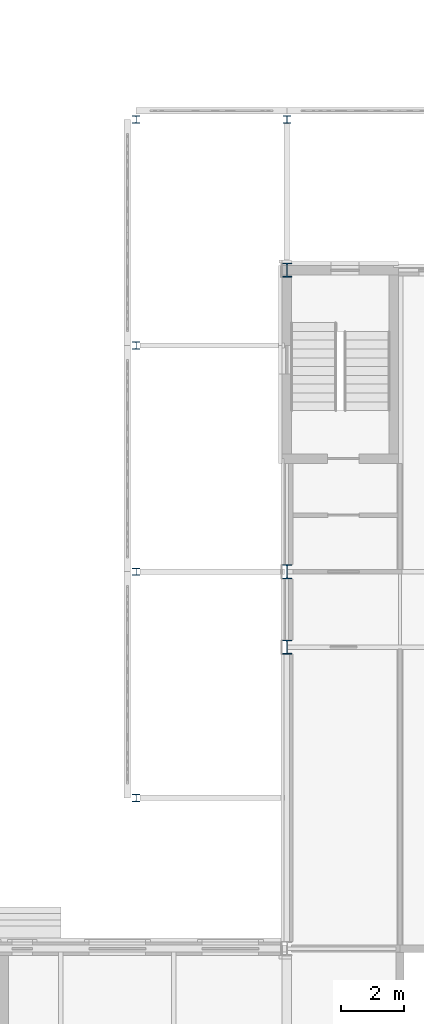
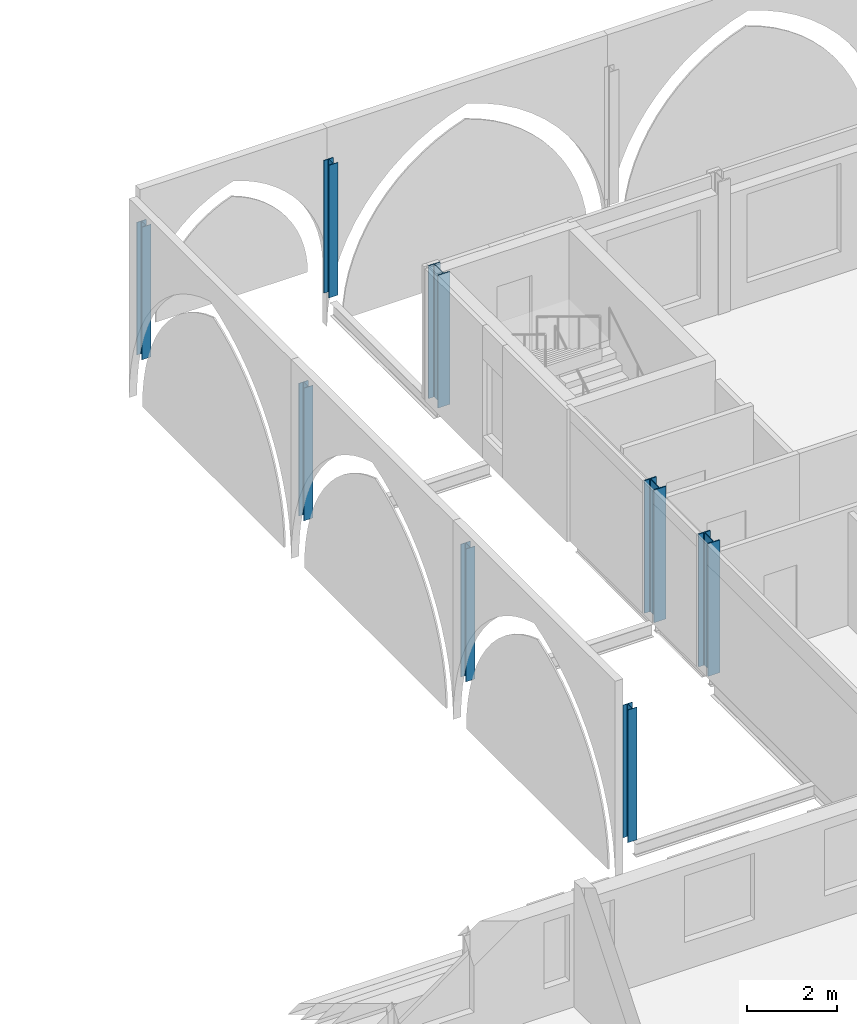
# One storey, part 10 of 142: 8 columns.
"""IFC4 building model written with IfcOpenShell, lengths in metres."""

from ifc_helpers import new_model, si_unit, direction, frame, origin, origin_2d, place, context, subcontext, project, spatial, i_section, extrude, material, material_profile, profile_set, type_object, element, save


model = new_model("IFC4")

# Units and contexts
model_context = context("Model", 3, precision=1e-05, world=origin(), true_north=direction((0.0, 1.0)))
body_context = subcontext(model_context, "Body", "Model", "MODEL_VIEW")
ifc_project = project(units=[si_unit("LENGTHUNIT", "METRE"), si_unit("AREAUNIT", "SQUARE_METRE"), si_unit("VOLUMEUNIT", "CUBIC_METRE"), si_unit("PLANEANGLEUNIT", "RADIAN"), si_unit("MASSUNIT", "GRAM", prefix="KILO")], contexts=[model_context])

# Site, building, storey
site_placement = place(None, origin())
site = spatial("IfcSite", under=ifc_project, at=site_placement, CompositionType="ELEMENT")
building_placement = place(site_placement, origin())
building = spatial("IfcBuilding", under=site, at=building_placement, Name="Kupolbacken Congress Centre", CompositionType="ELEMENT")
storey_placement = place(building_placement, frame((0.0, 0.0, 14.39990234375)))
storey = spatial("IfcBuildingStorey", under=building, at=storey_placement, Name="L04", CompositionType="ELEMENT", Elevation=14.39990234375)

# Columns
ifc_material_1 = material(Name="Steel S355", Category="steel")
ifc_material_profile_1 = material_profile(ifc_material_1, i_section(OverallWidth=0.300048828125, OverallDepth=0.449951171875, WebThickness=0.013916015625, FlangeThickness=0.02587890625, FilletRadius=0.027099609375, at=origin_2d()), Name="HEB 450")
ifc_profile_set_1 = profile_set([ifc_material_profile_1], Name="Steel S355")
column_type_1 = type_object("IfcColumnType", Name="C03 column HEB 450", PredefinedType="COLUMN", material=ifc_profile_set_1)
for number, where, z_axis, x_axis, name in (
    (1, (64.800048828125, 132.0, 0.0), (0.0, 0.0, 1.0), (1.0, 0.0, 0.0), "S/col/C-T-10U+2400/L04"),
    (2, (64.800048828125, 134.39990234375, 0.0), (0.0, 0.0, 1.0), (1.0, 0.0, 0.0), "S/col/C-T-10U+4800/L04"),
    (3, (64.800048828125, 144.0, 0.0), (0.0, 0.0, 1.0), (1.0, 0.0, 0.0), "S/col/C-T-10W/L04"),
):
    element("IfcColumn", number, at=place(storey_placement, frame(where, z_axis=z_axis, x_axis=x_axis)), inside=storey, type_object=column_type_1, Name=name, PredefinedType="COLUMN", context=body_context, shape_type="SweptSolid", body=[
        extrude(i_section(OverallWidth=0.300048828125, OverallDepth=0.449951171875, WebThickness=0.013916015625, FlangeThickness=0.02587890625, FilletRadius=0.027099609375, at=origin_2d()), origin(), (0.0, 0.0, 1.0), 3.60009765625),
    ])
ifc_material_2 = material(Name="Steel S355", Category="steel")
ifc_material_profile_2 = material_profile(ifc_material_2, i_section(OverallWidth=0.239990234375, OverallDepth=0.22998046875, WebThickness=0.007568359375, FlangeThickness=0.011962890625, FilletRadius=0.02099609375, at=origin_2d()), Name="HEA 240")
ifc_profile_set_2 = profile_set([ifc_material_profile_2], Name="Steel S355")
column_type_2 = type_object("IfcColumnType", Name="C10 column HEA 240", PredefinedType="COLUMN", material=ifc_profile_set_2)
for number, where, z_axis, x_axis, name in (
    (4, (60.0, 127.199951171875, 0.0), (0.0, 0.0, 1.0), (1.0, 0.0, 0.0), "E/T/portico/P/col60/L04"),
    (5, (60.0, 134.39990234375, 0.0), (0.0, 0.0, 1.0), (1.0, 0.0, 0.0), "E/T/portico/W/col134.4/L04"),
    (6, (60.0, 141.60009765625, 0.0), (0.0, 0.0, 1.0), (1.0, 0.0, 0.0), "E/T/portico/W/col141.6/L04"),
    (7, (60.0, 148.800048828125, 0.0), (0.0, 0.0, 1.0), (1.0, 0.0, 0.0), "E/T/portico/W/col148.8/L04"),
    (8, (64.800048828125, 148.800048828125, 0.0), (0.0, 0.0, 1.0), (1.0, 0.0, 0.0), "E/T/portico/N/col64.8/L04"),
):
    element("IfcColumn", number, at=place(storey_placement, frame(where, z_axis=z_axis, x_axis=x_axis)), inside=storey, type_object=column_type_2, Name=name, PredefinedType="COLUMN", context=body_context, shape_type="SweptSolid", body=[
        extrude(i_section(OverallWidth=0.239990234375, OverallDepth=0.22998046875, WebThickness=0.007568359375, FlangeThickness=0.011962890625, FilletRadius=0.02099609375, at=origin_2d()), origin(), (0.0, 0.0, 1.0), 3.60009765625),
    ])

save(model, "model.ifc")
